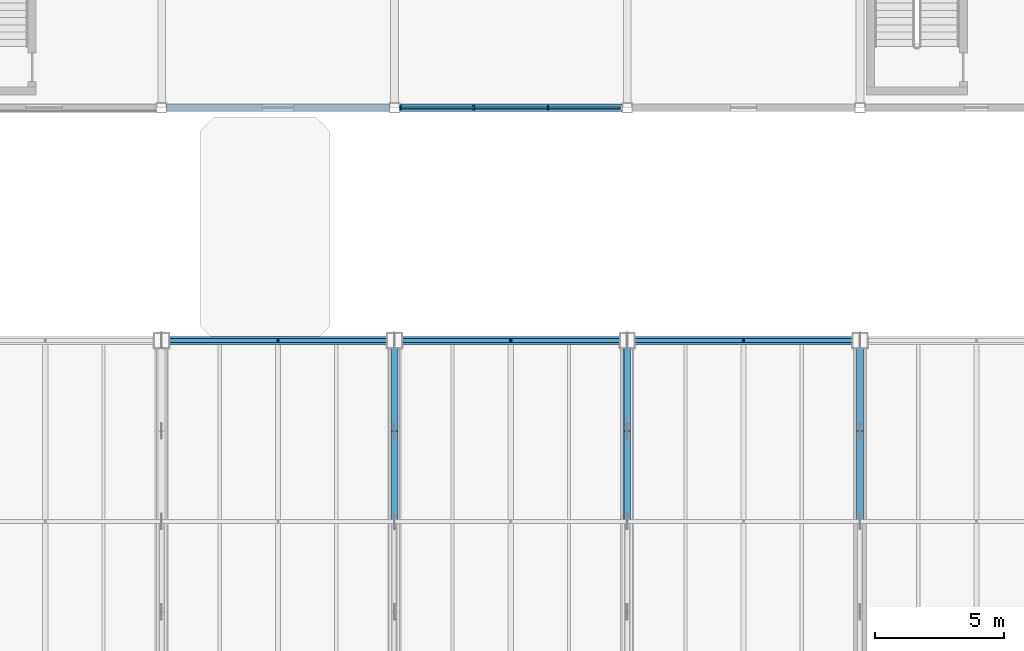
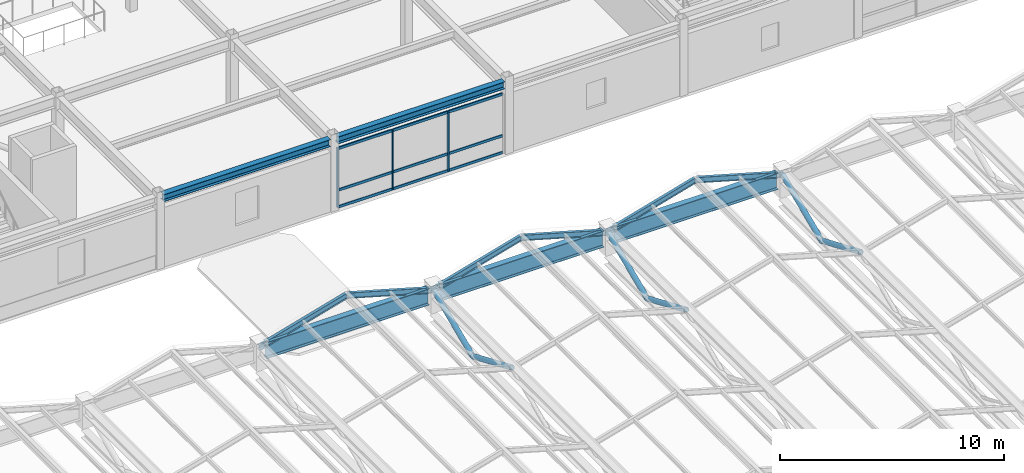
# One storey, part 44 of 108: 24 members, 5 beams, 1 element without a shape of its own.
"""IFC4 building model written with IfcOpenShell, lengths in metres."""

from ifc_helpers import new_model, si_unit, direction, frame, origin, origin_2d, place, context, subcontext, project, spatial, rectangle, hollow_circle, i_section, extrude, material, material_profile, profile_set, type_object, element, aggregate, save


model = new_model("IFC4")

# Units and contexts
model_context = context("Model", 3, precision=1e-05, world=origin(), true_north=direction((0.0, 1.0)))
body_context = subcontext(model_context, "Body", "Model", "MODEL_VIEW")
ifc_project = project(units=[si_unit("LENGTHUNIT", "METRE"), si_unit("AREAUNIT", "SQUARE_METRE"), si_unit("VOLUMEUNIT", "CUBIC_METRE"), si_unit("PLANEANGLEUNIT", "RADIAN"), si_unit("MASSUNIT", "GRAM", prefix="KILO")], contexts=[model_context])

# Site, building, storey
site_placement = place(None, origin())
site = spatial("IfcSite", under=ifc_project, at=site_placement, CompositionType="ELEMENT")
building_placement = place(site_placement, origin())
building = spatial("IfcBuilding", under=site, at=building_placement, Name="Suzunagisa Mobility Hub", CompositionType="ELEMENT")
storey_placement = place(building_placement, frame((0.0, 0.0, 9.300048828125)))
storey = spatial("IfcBuildingStorey", under=building, at=storey_placement, Name="L02", CompositionType="ELEMENT", Elevation=9.300048828125)

# Curtain wall, members
ifc_material_1 = material(Name="Thermally Broken Anodized Aluminum and Low-E Glazing", Category="aluminium")
curtain_wall_type = type_object("IfcCurtainWallType", Name="Unitised Curtain Wall CW-18 8500x3200", PredefinedType="USERDEFINED", material=ifc_material_1)
curtain_wall_placement = place(storey_placement, origin())
curtain_wall = element("IfcCurtainWall", 1, at=curtain_wall_placement, inside=storey, type_object=curtain_wall_type, Name="L02 Unitised Curtain Wall CW-110", ObjectType="UNITISED CURTAIN WALL", PredefinedType="USERDEFINED")
ifc_material_2 = material(Name="Anodized Aluminum 6063-T6", Category="aluminium")
ifc_material_profile_1 = material_profile(ifc_material_2, rectangle(XDim=0.06494140625, YDim=0.139892578125, at=origin_2d()), Name="TRAN-65x140")
ifc_profile_set_1 = profile_set([ifc_material_profile_1], Name="Anodized Aluminum 6063-T6")
member_type_1 = type_object("IfcMemberType", Name="Curtain Wall Framing CM-01 TRAN-65x140", PredefinedType="USERDEFINED", material=ifc_profile_set_1)
member_1_placement = place(storey_placement, frame((72.258056640625, 80.0, 0.032470703125), z_axis=(1.0, 0.0, 0.0), x_axis=(0.0, 1.0, 0.0)))
member_1 = element("IfcMember", 2, at=member_1_placement, type_object=member_type_1, Name="Curtain Wall Transom 110-T1.1", ObjectType="TRANSOM", PredefinedType="USERDEFINED", context=body_context, shape_type="SweptSolid", body=[
    extrude(rectangle(XDim=0.06494140625, YDim=0.139892578125, at=origin_2d()), origin(), (0.0, 0.0, 1.0), 2.78076171875),
])
member_2_placement = place(storey_placement, frame((72.258056640625, 80.0, 0.949951171875), z_axis=(1.0, 0.0, 0.0), x_axis=(0.0, 1.0, 0.0)))
member_2 = element("IfcMember", 3, at=member_2_placement, type_object=member_type_1, Name="Curtain Wall Transom 110-T1.2", ObjectType="TRANSOM", PredefinedType="USERDEFINED", context=body_context, shape_type="SweptSolid", body=[
    extrude(rectangle(XDim=0.06494140625, YDim=0.139892578125, at=origin_2d()), origin(), (0.0, 0.0, 1.0), 2.78076171875),
])
member_3_placement = place(storey_placement, frame((72.258056640625, 80.0, 3.217529296875), z_axis=(1.0, 0.0, 0.0), x_axis=(0.0, 1.0, 0.0)))
member_3 = element("IfcMember", 4, at=member_3_placement, type_object=member_type_1, Name="Curtain Wall Transom 110-T1.3", ObjectType="TRANSOM", PredefinedType="USERDEFINED", context=body_context, shape_type="SweptSolid", body=[
    extrude(rectangle(XDim=0.06494140625, YDim=0.139892578125, at=origin_2d()), origin(), (0.0, 0.0, 1.0), 2.78076171875),
])
member_4_placement = place(storey_placement, frame((75.0947265625, 80.0, 0.032470703125), z_axis=(1.0, 0.0, 0.0), x_axis=(0.0, 1.0, 0.0)))
member_4 = element("IfcMember", 5, at=member_4_placement, type_object=member_type_1, Name="Curtain Wall Transom 110-T2.1", ObjectType="TRANSOM", PredefinedType="USERDEFINED", context=body_context, shape_type="SweptSolid", body=[
    extrude(rectangle(XDim=0.06494140625, YDim=0.139892578125, at=origin_2d()), origin(), (0.0, 0.0, 1.0), 2.810546875),
])
member_5_placement = place(storey_placement, frame((75.0947265625, 80.0, 0.949951171875), z_axis=(1.0, 0.0, 0.0), x_axis=(0.0, 1.0, 0.0)))
member_5 = element("IfcMember", 6, at=member_5_placement, type_object=member_type_1, Name="Curtain Wall Transom 110-T2.2", ObjectType="TRANSOM", PredefinedType="USERDEFINED", context=body_context, shape_type="SweptSolid", body=[
    extrude(rectangle(XDim=0.06494140625, YDim=0.139892578125, at=origin_2d()), origin(), (0.0, 0.0, 1.0), 2.810546875),
])
member_6_placement = place(storey_placement, frame((75.0947265625, 80.0, 3.217529296875), z_axis=(1.0, 0.0, 0.0), x_axis=(0.0, 1.0, 0.0)))
member_6 = element("IfcMember", 7, at=member_6_placement, type_object=member_type_1, Name="Curtain Wall Transom 110-T2.3", ObjectType="TRANSOM", PredefinedType="USERDEFINED", context=body_context, shape_type="SweptSolid", body=[
    extrude(rectangle(XDim=0.06494140625, YDim=0.139892578125, at=origin_2d()), origin(), (0.0, 0.0, 1.0), 2.810546875),
])
member_7_placement = place(storey_placement, frame((77.961181640625, 80.0, 0.032470703125), z_axis=(1.0, 0.0, 0.0), x_axis=(0.0, 1.0, 0.0)))
member_7 = element("IfcMember", 8, at=member_7_placement, type_object=member_type_1, Name="Curtain Wall Transom 110-T3.1", ObjectType="TRANSOM", PredefinedType="USERDEFINED", context=body_context, shape_type="SweptSolid", body=[
    extrude(rectangle(XDim=0.06494140625, YDim=0.139892578125, at=origin_2d()), origin(), (0.0, 0.0, 1.0), 2.78076171875),
])
member_8_placement = place(storey_placement, frame((77.961181640625, 80.0, 0.949951171875), z_axis=(1.0, 0.0, 0.0), x_axis=(0.0, 1.0, 0.0)))
member_8 = element("IfcMember", 9, at=member_8_placement, type_object=member_type_1, Name="Curtain Wall Transom 110-T3.2", ObjectType="TRANSOM", PredefinedType="USERDEFINED", context=body_context, shape_type="SweptSolid", body=[
    extrude(rectangle(XDim=0.06494140625, YDim=0.139892578125, at=origin_2d()), origin(), (0.0, 0.0, 1.0), 2.78076171875),
])
member_9_placement = place(storey_placement, frame((77.961181640625, 80.0, 3.217529296875), z_axis=(1.0, 0.0, 0.0), x_axis=(0.0, 1.0, 0.0)))
member_9 = element("IfcMember", 10, at=member_9_placement, type_object=member_type_1, Name="Curtain Wall Transom 110-T3.3", ObjectType="TRANSOM", PredefinedType="USERDEFINED", context=body_context, shape_type="SweptSolid", body=[
    extrude(rectangle(XDim=0.06494140625, YDim=0.139892578125, at=origin_2d()), origin(), (0.0, 0.0, 1.0), 2.78076171875),
])
ifc_material_profile_2 = material_profile(ifc_material_2, rectangle(XDim=0.06005859375, YDim=0.14990234375, at=origin_2d()), Name="MULL-60x150")
ifc_profile_set_2 = profile_set([ifc_material_profile_2], Name="Anodized Aluminum 6063-T6")
member_type_2 = type_object("IfcMemberType", Name="Curtain Wall Framing CM-03 MULL-60x150", PredefinedType="MULLION", material=ifc_profile_set_2)
member_10_placement = place(storey_placement, frame((72.22998046875, 80.0, 0.0), z_axis=(0.0, 0.0, 1.0), x_axis=(1.0, 0.0, 0.0)))
member_10 = element("IfcMember", 11, at=member_10_placement, type_object=member_type_2, Name="Curtain Wall Mullion 110-M1", PredefinedType="MULLION", context=body_context, shape_type="SweptSolid", body=[
    extrude(rectangle(XDim=0.06005859375, YDim=0.14990234375, at=origin_2d()), origin(), (0.0, 0.0, 1.0), 3.25),
])
member_11_placement = place(storey_placement, frame((75.066650390625, 80.0, 0.0), z_axis=(0.0, 0.0, 1.0), x_axis=(1.0, 0.0, 0.0)))
member_11 = element("IfcMember", 12, at=member_11_placement, type_object=member_type_2, Name="Curtain Wall Mullion 110-M2", PredefinedType="MULLION", context=body_context, shape_type="SweptSolid", body=[
    extrude(rectangle(XDim=0.06005859375, YDim=0.14990234375, at=origin_2d()), origin(), (0.0, 0.0, 1.0), 3.25),
])
member_12_placement = place(storey_placement, frame((77.933349609375, 80.0, 0.0), z_axis=(0.0, 0.0, 1.0), x_axis=(1.0, 0.0, 0.0)))
member_12 = element("IfcMember", 13, at=member_12_placement, type_object=member_type_2, Name="Curtain Wall Mullion 110-M3", PredefinedType="MULLION", context=body_context, shape_type="SweptSolid", body=[
    extrude(rectangle(XDim=0.06005859375, YDim=0.14990234375, at=origin_2d()), origin(), (0.0, 0.0, 1.0), 3.25),
])
aggregate(curtain_wall, [member_10, member_11, member_12, member_1, member_2, member_3, member_4, member_5, member_6, member_7, member_8, member_9])

# Members
ifc_material_3 = material(Name="Steel SN490B", Category="steel")
ifc_material_profile_3 = material_profile(ifc_material_3, hollow_circle(Radius=0.1337890625, WallThickness=0.00927734375, at=origin_2d()), Name="CHS-267.4x9.3")
ifc_profile_set_3 = profile_set([ifc_material_profile_3], Name="Steel SN490B")
member_type_3 = type_object("IfcMemberType", Name="Roof Truss and Brace Member MB-02 CHS-267.4x9.3", PredefinedType="STRUT", material=ifc_profile_set_3)
for number, where, z_axis, x_axis, name in (
    (14, (72.0, 64.0, 1.0537109375), (0.0, 0.919145030018, -0.393919298579), (-1.0, 0.0, 0.0), "Secondary Sub-Truss Web 39"),
    (15, (72.0, 67.5, -0.4462890625), (0.0, 0.919145030018, 0.393919298579), (-1.0, 0.0, 0.0), "Secondary Sub-Truss Web 40"),
    (16, (81.0, 64.0, 1.0537109375), (0.0, 0.919145030018, -0.393919298579), (-1.0, 0.0, 0.0), "Secondary Sub-Truss Web 49"),
    (17, (81.0, 67.5, -0.4462890625), (0.0, 0.919145030018, 0.393919298579), (-1.0, 0.0, 0.0), "Secondary Sub-Truss Web 50"),
    (18, (90.0, 64.0, 1.0537109375), (0.0, 0.919145030018, -0.393919298579), (-1.0, 0.0, 0.0), "Secondary Sub-Truss Web 59"),
    (19, (90.0, 67.5, -0.4462890625), (0.0, 0.919145030018, 0.393919298579), (-1.0, 0.0, 0.0), "Secondary Sub-Truss Web 60"),
):
    element("IfcMember", number, at=place(storey_placement, frame(where, z_axis=z_axis, x_axis=x_axis)), inside=storey, type_object=member_type_3, Name=name, PredefinedType="STRUT", context=body_context, shape_type="SweptSolid", body=[
        extrude(hollow_circle(Radius=0.1337890625, WallThickness=0.00927734375, at=origin_2d()), origin(), (0.0, 0.0, 1.0), 3.807861328125),
    ])
ifc_material_4 = material(Name="Steel SN400B", Category="steel")
ifc_material_profile_4 = material_profile(ifc_material_4, i_section(OverallWidth=0.14990234375, OverallDepth=0.300048828125, WebThickness=0.006591796875, FlangeThickness=0.009033203125, FilletRadius=0.008056640625, at=origin_2d()), Name="H-300x150x6.5x9")
ifc_profile_set_4 = profile_set([ifc_material_profile_4], Name="Steel SN400B")
member_type_4 = type_object("IfcMemberType", Name="Roof Truss and Brace Member MB-08 H-300x150x6.5x9", PredefinedType="RAFTER", material=ifc_profile_set_4)
for number, where, z_axis, x_axis, name in (
    (20, (63.0, 71.0, 1.0537109375), (0.961899182139, 0.0, 0.273404395357), (0.0, 1.0, 0.0), "Secondary Roof Sub-Rafter 132"),
    (21, (72.0, 71.0, 1.0537109375), (-0.961899182139, 0.0, 0.273404395357), (0.0, -1.0, 0.0), "Secondary Roof Sub-Rafter 133"),
    (22, (72.0, 71.0, 1.0537109375), (0.961899182139, 0.0, 0.273404395357), (0.0, 1.0, 0.0), "Secondary Roof Sub-Rafter 147"),
    (23, (81.0, 71.0, 1.0537109375), (-0.961899182139, 0.0, 0.273404395357), (0.0, -1.0, 0.0), "Secondary Roof Sub-Rafter 148"),
    (24, (81.0, 71.0, 1.0537109375), (0.961899182139, 0.0, 0.273404395357), (0.0, 1.0, 0.0), "Secondary Roof Sub-Rafter 162"),
    (25, (90.0, 71.0, 1.0537109375), (-0.961899182139, 0.0, 0.273404395357), (0.0, -1.0, 0.0), "Secondary Roof Sub-Rafter 163"),
):
    element("IfcMember", number, at=place(storey_placement, frame(where, z_axis=z_axis, x_axis=x_axis)), inside=storey, type_object=member_type_4, Name=name, PredefinedType="RAFTER", context=body_context, shape_type="SweptSolid", body=[
        extrude(i_section(OverallWidth=0.14990234375, OverallDepth=0.300048828125, WebThickness=0.006591796875, FlangeThickness=0.009033203125, FilletRadius=0.008056640625, at=origin_2d()), origin(), (0.0, 0.0, 1.0), 4.67822265625),
    ])

# Beams
ifc_material_profile_5 = material_profile(ifc_material_3, i_section(OverallWidth=0.300048828125, OverallDepth=0.89990234375, WebThickness=0.01611328125, FlangeThickness=0.028076171875, FilletRadius=0.01806640625, at=origin_2d()), Name="H-900x300x16x28")
ifc_profile_set_5 = profile_set([ifc_material_profile_5], Name="Steel SN490B")
beam_type_1 = type_object("IfcBeamType", Name="Steel Beam BM-01 H-900x300x16x28", PredefinedType="BEAM", material=ifc_profile_set_5)
for number, where, z_axis, x_axis, name in (
    (26, (63.300048828125, 71.0, 0.863037109375), (1.0, 0.0, 0.0), (0.0, 1.0, 0.0), "L02 Concourse Eave Girder EG-2222"),
    (27, (72.300048828125, 71.0, 0.863037109375), (1.0, 0.0, 0.0), (0.0, 1.0, 0.0), "L02 Concourse Eave Girder EG-2223"),
    (28, (81.300048828125, 71.0, 0.863037109375), (1.0, 0.0, 0.0), (0.0, 1.0, 0.0), "L02 Concourse Eave Girder EG-2224"),
):
    element("IfcBeam", number, at=place(storey_placement, frame(where, z_axis=z_axis, x_axis=x_axis)), inside=storey, type_object=beam_type_1, Name=name, PredefinedType="BEAM", context=body_context, shape_type="SweptSolid", body=[
        extrude(i_section(OverallWidth=0.300048828125, OverallDepth=0.89990234375, WebThickness=0.01611328125, FlangeThickness=0.028076171875, FilletRadius=0.01806640625, at=origin_2d()), origin(), (0.0, 0.0, 1.0), 8.39990234375),
    ])
ifc_material_profile_6 = material_profile(ifc_material_3, i_section(OverallWidth=0.300048828125, OverallDepth=0.389892578125, WebThickness=0.010009765625, FlangeThickness=0.01611328125, FilletRadius=0.012939453125, at=origin_2d()), Name="H-390x300x10x16")
ifc_profile_set_6 = profile_set([ifc_material_profile_6], Name="Steel SN490B")
beam_type_2 = type_object("IfcBeamType", Name="Steel Beam BM-13 H-390x300x10x16", PredefinedType="SPANDREL", material=ifc_profile_set_6)
for number, where, z_axis, x_axis, name in (
    (29, (63.196044921875, 80.0, 3.7548828125), (1.0, 0.0, 0.0), (0.0, 1.0, 0.0), "L02 Primary Girder GX-917"),
    (30, (72.196044921875, 80.0, 3.7548828125), (1.0, 0.0, 0.0), (0.0, 1.0, 0.0), "L02 Primary Girder GX-918"),
):
    element("IfcBeam", number, at=place(storey_placement, frame(where, z_axis=z_axis, x_axis=x_axis)), inside=storey, type_object=beam_type_2, Name=name, PredefinedType="SPANDREL", context=body_context, shape_type="SweptSolid", body=[
        extrude(i_section(OverallWidth=0.300048828125, OverallDepth=0.389892578125, WebThickness=0.010009765625, FlangeThickness=0.01611328125, FilletRadius=0.012939453125, at=origin_2d()), origin(), (0.0, 0.0, 1.0), 8.60791015625),
    ])

save(model, "model.ifc")
